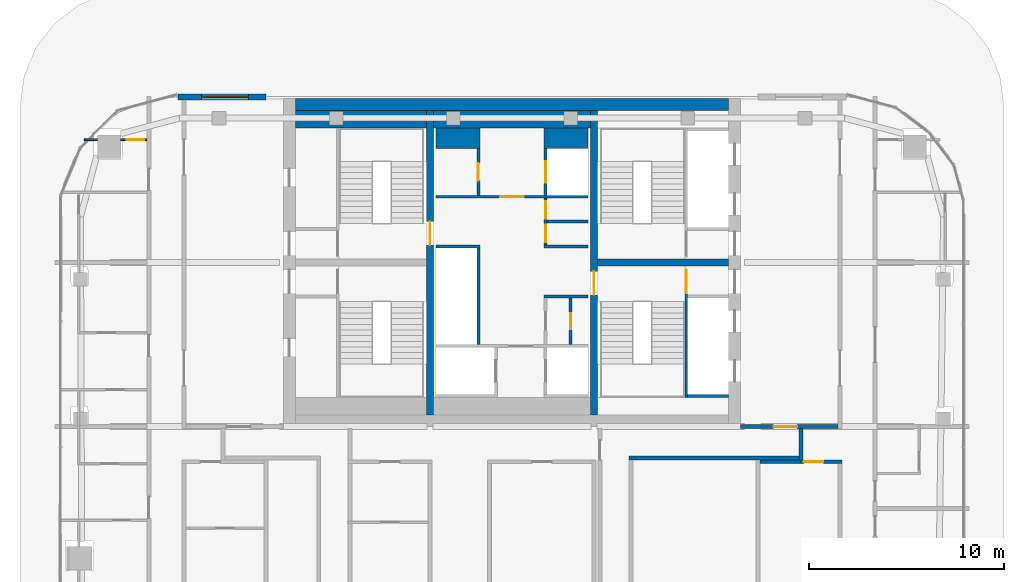
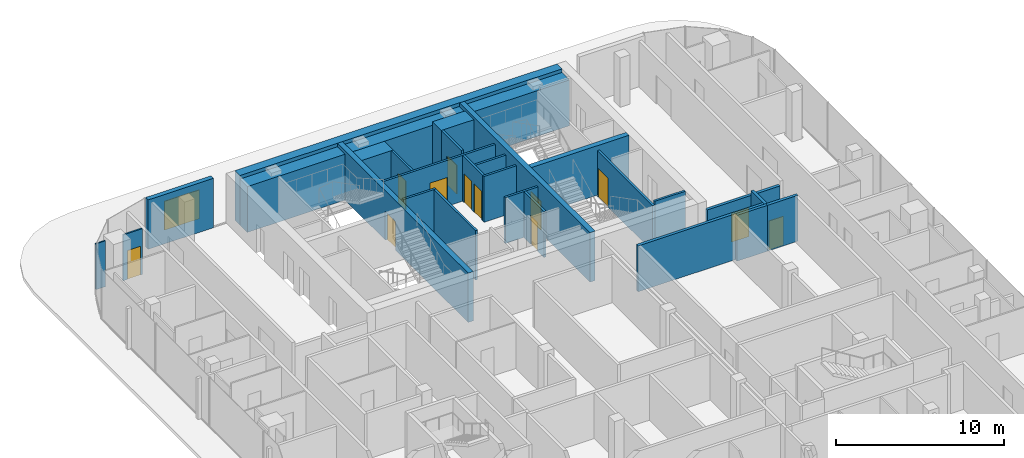
# One storey, part 18 of 21: 27 walls, 12 doors, 1 window, 13 openings.
"""IFC4 building model written with IfcOpenShell, lengths in metres."""

from ifc_helpers import new_model, si_unit, direction, frame, frame_2d, origin, place, context, subcontext, project, spatial, rectangle, extrude, material, layer, layer_set, type_object, element, fill, save


model = new_model("IFC4")

# Units and contexts
model_context = context("Model", 3, precision=1e-05, world=origin(), true_north=direction((0.0, 1.0)))
body_context = subcontext(model_context, "Body", "Model", "MODEL_VIEW")
ifc_project = project(units=[si_unit("LENGTHUNIT", "METRE"), si_unit("AREAUNIT", "SQUARE_METRE"), si_unit("VOLUMEUNIT", "CUBIC_METRE"), si_unit("PLANEANGLEUNIT", "RADIAN"), si_unit("MASSUNIT", "GRAM", prefix="KILO")], contexts=[model_context])

# Site, building, storey
site_placement = place(None, origin())
site = spatial("IfcSite", under=ifc_project, at=site_placement, CompositionType="ELEMENT")
building_placement = place(site_placement, origin())
building = spatial("IfcBuilding", under=site, at=building_placement, Name="Marenta Gate Hotel Tower", CompositionType="ELEMENT")
storey_placement = place(building_placement, frame((0.0, 0.0, 266.89990234375)))
storey = spatial("IfcBuildingStorey", under=building, at=storey_placement, Name="L61", CompositionType="ELEMENT", Elevation=266.89990234375)

# Wall, opening, window
ifc_material_1 = material(Name="Concrete C40 board-marked", Category="concrete")
ifc_layer_1 = layer(ifc_material_1, 0.300048828125)
ifc_layer_set_1 = layer_set([ifc_layer_1], Name="Concrete C40 board-marked")
wall_type_1 = type_object("IfcWallType", Name="Board-marked concrete wall 300 mm", PredefinedType="NOTDEFINED", material=ifc_layer_set_1)
wall_1_placement = place(storey_placement, frame((-12.60009765625, 16.889892578125, 0.0), z_axis=(0.0, 0.0, 1.0), x_axis=(-1.0, 0.0, 0.0)))
wall_1 = element("IfcWall", 1, at=wall_1_placement, inside=storey, type_object=wall_type_1, Name="L61-CLD-N01", PredefinedType="NOTDEFINED", context=body_context, shape_type="SweptSolid", body=[
    extrude(rectangle(XDim=4.505859375, YDim=0.300048828125, at=frame_2d((2.2529296875, 0.0))), origin(), (0.0, 0.0, 1.0), 3.60009765625),
])
opening_1_placement = place(wall_1_placement, frame((0.89990234375, 0.0, 0.89990234375)))
opening_1 = element("IfcOpeningElement", 2, at=opening_1_placement, cuts=wall_1, Name="Opening W1", PredefinedType="OPENING", context=body_context, shape_type="SweptSolid", body=[
    extrude(rectangle(XDim=2.39990234375, YDim=2.10009765625, at=frame_2d((1.199951171875, 1.050048828125))), frame((0.0, 0.14990234375, 0.0), z_axis=(0.0, -1.0, 0.0), x_axis=(1.0, 0.0, 0.0)), (0.0, 0.0, 1.0), 0.300048828125),
])
ifc_material_2 = material(Name="Tinted insulated glass in bronze anodised frame", Category="glass")
window_type = type_object("IfcWindowType", Name="Window W1 2400x2100 bronze frame", PartitioningType="SINGLE_PANEL", PredefinedType="WINDOW", material=ifc_material_2)
window_placement = place(opening_1_placement, origin())
window = element("IfcWindow", 3, at=window_placement, inside=storey, type_object=window_type, Name="Window W1", OverallHeight=2.10009765625, OverallWidth=2.39990234375, PartitioningType="SINGLE_PANEL", PredefinedType="WINDOW", context=body_context, shape_type="SweptSolid", body=[
    extrude(rectangle(XDim=2.39990234375, YDim=2.10009765625, at=frame_2d((1.199951171875, 1.050048828125))), frame((0.0, 0.030029296875, 0.0), z_axis=(0.0, -1.0, 0.0), x_axis=(1.0, 0.0, 0.0)), (0.0, 0.0, 1.0), 0.06005859375),
])
fill(opening_1, window)

# Wall, opening, door
ifc_material_3 = material(Name="Concrete blockwork", Category="masonry")
ifc_layer_2 = layer(ifc_material_3, 0.199951171875)
ifc_layer_set_2 = layer_set([ifc_layer_2], Name="Concrete blockwork")
wall_type_2 = type_object("IfcWallType", Name="Core boundary wall 200 REI 180", PredefinedType="PARTITIONING", material=ifc_layer_set_2)
wall_2_placement = place(storey_placement, frame((11.699951171875, 0.0, 0.0), z_axis=(0.0, 0.0, 1.0), x_axis=(1.0, 0.0, 0.0)))
wall_2 = element("IfcWall", 4, at=wall_2_placement, inside=storey, type_object=wall_type_2, Name="L61-CP-EW-ES", PredefinedType="PARTITIONING", context=body_context, shape_type="SweptSolid", body=[
    extrude(rectangle(XDim=5.0, YDim=0.199951171875, at=frame_2d((2.5, 0.0))), origin(), (0.0, 0.0, 1.0), 3.0),
])
opening_2_placement = place(wall_2_placement, frame((1.699951171875, 0.0, 0.0)))
opening_2 = element("IfcOpeningElement", 5, at=opening_2_placement, cuts=wall_2, Name="Opening RS-Z4-1", PredefinedType="OPENING", context=body_context, shape_type="SweptSolid", body=[
    extrude(rectangle(XDim=1.199951171875, YDim=2.10009765625, at=frame_2d((0.60009765625, 1.050048828125))), frame((0.0, 0.10009765625, 0.0), z_axis=(0.0, -1.0, 0.0), x_axis=(1.0, 0.0, 0.0)), (0.0, 0.0, 1.0), 0.199951171875),
])
ifc_material_4 = material(Name="Steel", Category="steel")
door_type_1 = type_object("IfcDoorType", Name="Core lobby door 1200x2100 EI 60", OperationType="SINGLE_SWING_LEFT", PredefinedType="DOOR", material=ifc_material_4)
door_1_placement = place(opening_2_placement, origin())
door_1 = element("IfcDoor", 6, at=door_1_placement, inside=storey, type_object=door_type_1, Name="RS-Z4-1", OperationType="SINGLE_SWING_LEFT", OverallHeight=2.10009765625, OverallWidth=1.199951171875, PredefinedType="DOOR", context=body_context, shape_type="SweptSolid", body=[
    extrude(rectangle(XDim=1.199951171875, YDim=2.10009765625, at=frame_2d((0.60009765625, 1.050048828125))), frame((0.0, 0.02490234375, 0.0), z_axis=(0.0, -1.0, 0.0), x_axis=(1.0, 0.0, 0.0)), (0.0, 0.0, 1.0), 0.050048828125),
])
fill(opening_2, door_1)

# Wall
ifc_material_5 = material(Name="Concrete C40", Category="concrete")
ifc_layer_3 = layer(ifc_material_5, 0.89990234375)
ifc_layer_set_3 = layer_set([ifc_layer_3], Name="Concrete C40")
wall_type_3 = type_object("IfcWallType", Name="Core lining wall 900 REI 180", PredefinedType="PARTITIONING", material=ifc_layer_set_3)
wall_3_placement = place(storey_placement, frame((-11.10009765625, 15.75, 0.0), z_axis=(0.0, 0.0, 1.0), x_axis=(1.0, 0.0, 0.0)))
element("IfcWall", 7, at=wall_3_placement, inside=storey, type_object=wall_type_3, Name="L61-CP-LN-N", PredefinedType="PARTITIONING", context=body_context, shape_type="SweptSolid", body=[
    extrude(rectangle(XDim=22.2001953125, YDim=0.89990234375, at=frame_2d((11.10009765625, 0.0))), origin(), (0.0, 0.0, 1.0), 3.340087890625),
])

# Wall, opening, door
ifc_material_6 = material(Name="Concrete blockwork", Category="masonry")
ifc_layer_4 = layer(ifc_material_6, 0.14990234375)
ifc_layer_set_4 = layer_set([ifc_layer_4], Name="Concrete blockwork")
wall_type_4 = type_object("IfcWallType", Name="Core lobby partition 150 REI 180", PredefinedType="PARTITIONING", material=ifc_layer_set_4)
wall_4_placement = place(storey_placement, frame((-3.89990234375, 11.77490234375, 0.0), z_axis=(0.0, 0.0, 1.0), x_axis=(1.0, 0.0, 0.0)))
wall_4 = element("IfcWall", 8, at=wall_4_placement, inside=storey, type_object=wall_type_4, Name="L61-CP-CW-N", PredefinedType="PARTITIONING", context=body_context, shape_type="SweptSolid", body=[
    extrude(rectangle(XDim=7.7998046875, YDim=0.14990234375, at=frame_2d((3.89990234375, 0.0))), origin(), (0.0, 0.0, 1.0), 3.340087890625),
])
opening_3_placement = place(wall_4_placement, frame((3.300048828125, 0.0, 0.0)))
opening_3 = element("IfcOpeningElement", 9, at=opening_3_placement, cuts=wall_4, Name="Opening FD-FFN", PredefinedType="OPENING", context=body_context, shape_type="SweptSolid", body=[
    extrude(rectangle(XDim=1.199951171875, YDim=2.10009765625, at=frame_2d((0.60009765625, 1.050048828125))), frame((0.0, 0.074951171875, 0.0), z_axis=(0.0, -1.0, 0.0), x_axis=(1.0, 0.0, 0.0)), (0.0, 0.0, 1.0), 0.14990234375),
])
ifc_material_7 = material(Name="Steel", Category="steel")
door_type_2 = type_object("IfcDoorType", Name="Core lobby door 1200x2100 FD60", OperationType="SINGLE_SWING_LEFT", PredefinedType="DOOR", material=ifc_material_7)
door_2_placement = place(opening_3_placement, origin())
door_2 = element("IfcDoor", 10, at=door_2_placement, inside=storey, type_object=door_type_2, Name="FD-FFN", OperationType="SINGLE_SWING_LEFT", OverallHeight=2.10009765625, OverallWidth=1.199951171875, PredefinedType="DOOR", context=body_context, shape_type="SweptSolid", body=[
    extrude(rectangle(XDim=1.199951171875, YDim=2.10009765625, at=frame_2d((0.60009765625, 1.050048828125))), frame((0.0, 0.02490234375, 0.0), z_axis=(0.0, -1.0, 0.0), x_axis=(1.0, 0.0, 0.0)), (0.0, 0.0, 1.0), 0.050048828125),
])
fill(opening_3, door_2)

# Wall
ifc_material_8 = material(Name="Concrete blockwork", Category="masonry")
ifc_layer_5 = layer(ifc_material_8, 1.050048828125)
ifc_layer_set_5 = layer_set([ifc_layer_5], Name="Concrete blockwork")
wall_type_5 = type_object("IfcWallType", Name="Core room partition 1050 REI 180", PredefinedType="PARTITIONING", material=ifc_layer_set_5)
wall_5_placement = place(storey_placement, frame((-3.89990234375, 14.77490234375, 0.0), z_axis=(0.0, 0.0, 1.0), x_axis=(1.0, 0.0, 0.0)))
element("IfcWall", 11, at=wall_5_placement, inside=storey, type_object=wall_type_5, Name="L61-CP-CW-W-riser-N", PredefinedType="PARTITIONING", context=body_context, shape_type="SweptSolid", body=[
    extrude(rectangle(XDim=2.25, YDim=1.050048828125, at=frame_2d((1.125, 0.0))), origin(), (0.0, 0.0, 1.0), 3.340087890625),
])

# Wall, opening, door
ifc_material_9 = material(Name="Concrete blockwork", Category="masonry")
ifc_layer_6 = layer(ifc_material_9, 0.14990234375)
ifc_layer_set_6 = layer_set([ifc_layer_6], Name="Concrete blockwork")
wall_type_6 = type_object("IfcWallType", Name="Core room partition 150 REI 180", PredefinedType="PARTITIONING", material=ifc_layer_set_6)
wall_6_placement = place(storey_placement, frame((-1.72509765625, 11.85009765625, 0.0), z_axis=(0.0, 0.0, 1.0), x_axis=(0.0, 1.0, 0.0)))
wall_6 = element("IfcWall", 12, at=wall_6_placement, inside=storey, type_object=wall_type_6, Name="L61-CP-CW-W-riser-front", PredefinedType="PARTITIONING", context=body_context, shape_type="SweptSolid", body=[
    extrude(rectangle(XDim=2.39990234375, YDim=0.14990234375, at=frame_2d((1.199951171875, 0.0))), origin(), (0.0, 0.0, 1.0), 3.340087890625),
])
opening_4_placement = place(wall_6_placement, frame((0.75, 0.0, 0.0)))
opening_4 = element("IfcOpeningElement", 13, at=opening_4_placement, cuts=wall_6, Name="Opening RD-CRISER", PredefinedType="OPENING", context=body_context, shape_type="SweptSolid", body=[
    extrude(rectangle(XDim=0.89990234375, YDim=2.10009765625, at=frame_2d((0.449951171875, 1.050048828125))), frame((0.0, 0.074951171875, 0.0), z_axis=(0.0, -1.0, 0.0), x_axis=(1.0, 0.0, 0.0)), (0.0, 0.0, 1.0), 0.14990234375),
])
ifc_material_10 = material(Name="Steel", Category="steel")
door_type_3 = type_object("IfcDoorType", Name="Core riser door 900x2100 FD60", OperationType="SINGLE_SWING_LEFT", PredefinedType="DOOR", material=ifc_material_10)
door_3_placement = place(opening_4_placement, origin())
door_3 = element("IfcDoor", 14, at=door_3_placement, inside=storey, type_object=door_type_3, Name="RD-CRISER", OperationType="SINGLE_SWING_LEFT", OverallHeight=2.10009765625, OverallWidth=0.89990234375, PredefinedType="DOOR", context=body_context, shape_type="SweptSolid", body=[
    extrude(rectangle(XDim=0.89990234375, YDim=2.10009765625, at=frame_2d((0.449951171875, 1.050048828125))), frame((0.0, 0.02490234375, 0.0), z_axis=(0.0, -1.0, 0.0), x_axis=(1.0, 0.0, 0.0)), (0.0, 0.0, 1.0), 0.050048828125),
])
fill(opening_4, door_3)

# Walls
for number, where, z_axis, x_axis, name in (
    (15, (1.64990234375, 6.675048828125, 0.0), (0.0, 0.0, 1.0), (1.0, 0.0, 0.0), "L61-CP-CE-sep1"),
    (16, (1.64990234375, 9.22509765625, 0.0), (0.0, 0.0, 1.0), (1.0, 0.0, 0.0), "L61-CP-CE-sep2"),
):
    element("IfcWall", number, at=place(storey_placement, frame(where, z_axis=z_axis, x_axis=x_axis)), inside=storey, type_object=wall_type_6, Name=name, PredefinedType="PARTITIONING", context=body_context, shape_type="SweptSolid", body=[
        extrude(rectangle(XDim=2.25, YDim=0.14990234375, at=frame_2d((1.125, 0.0))), origin(), (0.0, 0.0, 1.0), 3.340087890625),
    ])

# Wall, openings, doors
wall_7_placement = place(storey_placement, frame((1.72509765625, 9.300048828125, 0.0), z_axis=(0.0, 0.0, 1.0), x_axis=(0.0, 1.0, 0.0)))
wall_7 = element("IfcWall", 17, at=wall_7_placement, inside=storey, type_object=wall_type_6, Name="L61-CP-CE-front-2", PredefinedType="PARTITIONING", context=body_context, shape_type="SweptSolid", body=[
    extrude(rectangle(XDim=2.39990234375, YDim=0.14990234375, at=frame_2d((1.199951171875, 0.0))), origin(), (0.0, 0.0, 1.0), 3.340087890625),
])
opening_5_placement = place(wall_7_placement, frame((0.14990234375, 0.0, 0.0)))
opening_5 = element("IfcOpeningElement", 18, at=opening_5_placement, cuts=wall_7, Name="Opening RD-CE-2a", PredefinedType="OPENING", context=body_context, shape_type="SweptSolid", body=[
    extrude(rectangle(XDim=0.89990234375, YDim=2.10009765625, at=frame_2d((0.449951171875, 1.050048828125))), frame((0.0, 0.074951171875, 0.0), z_axis=(0.0, -1.0, 0.0), x_axis=(1.0, 0.0, 0.0)), (0.0, 0.0, 1.0), 0.14990234375),
])
opening_6_placement = place(wall_7_placement, frame((1.35009765625, 0.0, 0.0)))
opening_6 = element("IfcOpeningElement", 19, at=opening_6_placement, cuts=wall_7, Name="Opening RD-CE-2b-B", PredefinedType="OPENING", context=body_context, shape_type="SweptSolid", body=[
    extrude(rectangle(XDim=0.89990234375, YDim=2.10009765625, at=frame_2d((0.449951171875, 1.050048828125))), frame((0.0, 0.074951171875, 0.0), z_axis=(0.0, -1.0, 0.0), x_axis=(1.0, 0.0, 0.0)), (0.0, 0.0, 1.0), 0.14990234375),
])
ifc_material_11 = material(Name="Steel", Category="steel")
door_type_4 = type_object("IfcDoorType", Name="Core service room door 900x2100 FD30S", OperationType="SINGLE_SWING_LEFT", PredefinedType="DOOR", material=ifc_material_11)
door_4_placement = place(opening_5_placement, origin())
door_4 = element("IfcDoor", 20, at=door_4_placement, inside=storey, type_object=door_type_4, Name="RD-CE-2a", OperationType="SINGLE_SWING_LEFT", OverallHeight=2.10009765625, OverallWidth=0.89990234375, PredefinedType="DOOR", context=body_context, shape_type="SweptSolid", body=[
    extrude(rectangle(XDim=0.89990234375, YDim=2.10009765625, at=frame_2d((0.449951171875, 1.050048828125))), frame((0.0, 0.02490234375, 0.0), z_axis=(0.0, -1.0, 0.0), x_axis=(1.0, 0.0, 0.0)), (0.0, 0.0, 1.0), 0.050048828125),
])
fill(opening_5, door_4)
door_5_placement = place(opening_6_placement, origin())
door_5 = element("IfcDoor", 21, at=door_5_placement, inside=storey, type_object=door_type_4, Name="RD-CE-2b-B", OperationType="SINGLE_SWING_LEFT", OverallHeight=2.10009765625, OverallWidth=0.89990234375, PredefinedType="DOOR", context=body_context, shape_type="SweptSolid", body=[
    extrude(rectangle(XDim=0.89990234375, YDim=2.10009765625, at=frame_2d((0.449951171875, 1.050048828125))), frame((0.0, 0.02490234375, 0.0), z_axis=(0.0, -1.0, 0.0), x_axis=(1.0, 0.0, 0.0)), (0.0, 0.0, 1.0), 0.050048828125),
])
fill(opening_6, door_5)

# Wall, opening, door
wall_8_placement = place(storey_placement, frame((3.0, 4.199951171875, 0.0), z_axis=(0.0, 0.0, 1.0), x_axis=(0.0, 1.0, 0.0)))
wall_8 = element("IfcWall", 22, at=wall_8_placement, inside=storey, type_object=wall_type_6, Name="L61-CP-CE-RW-1", PredefinedType="PARTITIONING", context=body_context, shape_type="SweptSolid", body=[
    extrude(rectangle(XDim=2.400146484375, YDim=0.14990234375, at=frame_2d((1.2001953125, 0.0))), origin(), (0.0, 0.0, 1.0), 3.340087890625),
])
opening_7_placement = place(wall_8_placement, frame((0.800048828125, 0.0, 0.0)))
opening_7 = element("IfcOpeningElement", 23, at=opening_7_placement, cuts=wall_8, Name="Opening RD-CE-1b-A", PredefinedType="OPENING", context=body_context, shape_type="SweptSolid", body=[
    extrude(rectangle(XDim=0.800048828125, YDim=2.10009765625, at=frame_2d((0.39990234375, 1.050048828125))), frame((0.0, 0.074951171875, 0.0), z_axis=(0.0, -1.0, 0.0), x_axis=(1.0, 0.0, 0.0)), (0.0, 0.0, 1.0), 0.14990234375),
])
ifc_material_12 = material(Name="Steel", Category="steel")
door_type_5 = type_object("IfcDoorType", Name="Core riser door 800x2100 FD60", OperationType="SINGLE_SWING_LEFT", PredefinedType="DOOR", material=ifc_material_12)
door_6_placement = place(opening_7_placement, origin())
door_6 = element("IfcDoor", 24, at=door_6_placement, inside=storey, type_object=door_type_5, Name="RD-CE-1b-A", OperationType="SINGLE_SWING_LEFT", OverallHeight=2.10009765625, OverallWidth=0.800048828125, PredefinedType="DOOR", context=body_context, shape_type="SweptSolid", body=[
    extrude(rectangle(XDim=0.800048828125, YDim=2.10009765625, at=frame_2d((0.39990234375, 1.050048828125))), frame((0.0, 0.02490234375, 0.0), z_axis=(0.0, -1.0, 0.0), x_axis=(1.0, 0.0, 0.0)), (0.0, 0.0, 1.0), 0.050048828125),
])
fill(opening_7, door_6)

# Walls
wall_9_placement = place(storey_placement, frame((1.800048828125, 10.5, 0.0), z_axis=(0.0, 0.0, 1.0), x_axis=(1.0, 0.0, 0.0)))
element("IfcWall", 25, at=wall_9_placement, inside=storey, type_object=wall_type_6, Name="L61-CP-CE-RW-2", PredefinedType="PARTITIONING", context=body_context, shape_type="SweptSolid", body=[
    extrude(rectangle(XDim=2.099853515625, YDim=0.14990234375, at=frame_2d((1.0498046875, 0.0))), origin(), (0.0, 0.0, 1.0), 3.340087890625),
])
ifc_material_13 = material(Name="Concrete C40", Category="concrete")
ifc_layer_7 = layer(ifc_material_13, 1.050048828125)
ifc_layer_set_7 = layer_set([ifc_layer_7], Name="Concrete C40")
wall_type_7 = type_object("IfcWallType", Name="Core shaft wall 1050 REI 180", PredefinedType="SHEAR", material=ifc_layer_set_7)
wall_10_placement = place(storey_placement, frame((1.64990234375, 14.77490234375, 0.0), z_axis=(0.0, 0.0, 1.0), x_axis=(1.0, 0.0, 0.0)))
element("IfcWall", 26, at=wall_10_placement, inside=storey, type_object=wall_type_7, Name="L61-SHF-CE-N-top", PredefinedType="SHEAR", context=body_context, shape_type="SweptSolid", body=[
    extrude(rectangle(XDim=2.25, YDim=1.050048828125, at=frame_2d((1.125, 0.0))), origin(), (0.0, 0.0, 1.0), 3.60009765625),
])
ifc_material_14 = material(Name="Concrete C40", Category="concrete")
ifc_layer_8 = layer(ifc_material_14, 0.14990234375)
ifc_layer_set_8 = layer_set([ifc_layer_8], Name="Concrete C40")
wall_type_8 = type_object("IfcWallType", Name="Core shaft wall 150 REI 180", PredefinedType="SHEAR", material=ifc_layer_set_8)
wall_11_placement = place(storey_placement, frame((9.0, 1.574951171875, 0.0), z_axis=(0.0, 0.0, 1.0), x_axis=(1.0, 0.0, 0.0)))
element("IfcWall", 27, at=wall_11_placement, inside=storey, type_object=wall_type_8, Name="L61-SHF-SW-ES-5", PredefinedType="SHEAR", context=body_context, shape_type="SweptSolid", body=[
    extrude(rectangle(XDim=2.10009765625, YDim=0.14990234375, at=frame_2d((1.050048828125, 0.0))), origin(), (0.0, 0.0, 1.0), 3.60009765625),
])
wall_12_placement = place(storey_placement, frame((-1.72509765625, 4.199951171875, 0.0), z_axis=(0.0, 0.0, 1.0), x_axis=(0.0, 1.0, 0.0)))
element("IfcWall", 28, at=wall_12_placement, inside=storey, type_object=wall_type_8, Name="L61-SHF-CW-W-front", PredefinedType="SHEAR", context=body_context, shape_type="SweptSolid", body=[
    extrude(rectangle(XDim=4.949951171875, YDim=0.14990234375, at=frame_2d((2.47509765625, 0.0))), origin(), (0.0, 0.0, 1.0), 3.60009765625),
])
wall_13_placement = place(storey_placement, frame((-3.89990234375, 9.22509765625, 0.0), z_axis=(0.0, 0.0, 1.0), x_axis=(1.0, 0.0, 0.0)))
element("IfcWall", 29, at=wall_13_placement, inside=storey, type_object=wall_type_8, Name="L61-SHF-CW-W-sep", PredefinedType="SHEAR", context=body_context, shape_type="SweptSolid", body=[
    extrude(rectangle(XDim=2.25, YDim=0.14990234375, at=frame_2d((1.125, 0.0))), origin(), (0.0, 0.0, 1.0), 3.60009765625),
])

# Wall, opening, door
wall_14_placement = place(storey_placement, frame((1.72509765625, 11.85009765625, 0.0), z_axis=(0.0, 0.0, 1.0), x_axis=(0.0, 1.0, 0.0)))
wall_14 = element("IfcWall", 30, at=wall_14_placement, inside=storey, type_object=wall_type_8, Name="L61-SHF-CE-N-front2", PredefinedType="SHEAR", context=body_context, shape_type="SweptSolid", body=[
    extrude(rectangle(XDim=2.39990234375, YDim=0.14990234375, at=frame_2d((1.199951171875, 0.0))), origin(), (0.0, 0.0, 1.0), 3.60009765625),
])
opening_8_placement = place(wall_14_placement, frame((0.64990234375, 0.0, 0.0)))
opening_8 = element("IfcOpeningElement", 31, at=opening_8_placement, cuts=wall_14, Name="Opening LD-FF2", PredefinedType="OPENING", context=body_context, shape_type="SweptSolid", body=[
    extrude(rectangle(XDim=1.10009765625, YDim=2.10009765625, at=frame_2d((0.550048828125, 1.050048828125))), frame((0.0, 0.074951171875, 0.0), z_axis=(0.0, -1.0, 0.0), x_axis=(1.0, 0.0, 0.0)), (0.0, 0.0, 1.0), 0.14990234375),
])
ifc_material_15 = material(Name="Steel", Category="steel")
door_type_6 = type_object("IfcDoorType", Name="Core lift landing door 1100x2100 E 60", OperationType="SLIDING_TO_LEFT", PredefinedType="DOOR", material=ifc_material_15)
door_7_placement = place(opening_8_placement, origin())
door_7 = element("IfcDoor", 32, at=door_7_placement, inside=storey, type_object=door_type_6, Name="LD-FF2", OperationType="SLIDING_TO_LEFT", OverallHeight=2.10009765625, OverallWidth=1.10009765625, PredefinedType="DOOR", context=body_context, shape_type="SweptSolid", body=[
    extrude(rectangle(XDim=1.10009765625, YDim=2.10009765625, at=frame_2d((0.550048828125, 1.050048828125))), frame((0.0, 0.02490234375, 0.0), z_axis=(0.0, -1.0, 0.0), x_axis=(1.0, 0.0, 0.0)), (0.0, 0.0, 1.0), 0.050048828125),
])
fill(opening_8, door_7)

ifc_material_16 = material(Name="Concrete C40", Category="concrete")
ifc_layer_9 = layer(ifc_material_16, 0.14990234375)
ifc_layer_set_9 = layer_set([ifc_layer_9], Name="Concrete C40")
wall_type_9 = type_object("IfcWallType", Name="Core stair enclosure wall 150 REI 180", PredefinedType="SHEAR", material=ifc_layer_set_9)
wall_15_placement = place(storey_placement, frame((8.925048828125, 1.5, 0.0), z_axis=(0.0, 0.0, 1.0), x_axis=(0.0, 1.0, 0.0)))
wall_15 = element("IfcWall", 33, at=wall_15_placement, inside=storey, type_object=wall_type_9, Name="L61-SHF-SW-ES-3", PredefinedType="SHEAR", context=body_context, shape_type="SweptSolid", body=[
    extrude(rectangle(XDim=6.60009765625, YDim=0.14990234375, at=frame_2d((3.300048828125, 0.0))), origin(), (0.0, 0.0, 1.0), 3.340087890625),
])
opening_9_placement = place(wall_15_placement, frame((5.324951171875, 0.0, 0.0)))
opening_9 = element("IfcOpeningElement", 34, at=opening_9_placement, cuts=wall_15, Name="Opening SD-ES", PredefinedType="OPENING", context=body_context, shape_type="SweptSolid", body=[
    extrude(rectangle(XDim=1.199951171875, YDim=2.10009765625, at=frame_2d((0.60009765625, 1.050048828125))), frame((0.0, 0.074951171875, 0.0), z_axis=(0.0, -1.0, 0.0), x_axis=(1.0, 0.0, 0.0)), (0.0, 0.0, 1.0), 0.14990234375),
])
ifc_material_17 = material(Name="Steel", Category="steel")
door_type_7 = type_object("IfcDoorType", Name="Core stair door 1200x2100 FD60", OperationType="SINGLE_SWING_LEFT", PredefinedType="DOOR", material=ifc_material_17)
door_8_placement = place(opening_9_placement, origin())
door_8 = element("IfcDoor", 35, at=door_8_placement, inside=storey, type_object=door_type_7, Name="SD-ES", OperationType="SINGLE_SWING_LEFT", OverallHeight=2.10009765625, OverallWidth=1.199951171875, PredefinedType="DOOR", context=body_context, shape_type="SweptSolid", body=[
    extrude(rectangle(XDim=1.199951171875, YDim=2.10009765625, at=frame_2d((0.60009765625, 1.050048828125))), frame((0.0, 0.02490234375, 0.0), z_axis=(0.0, -1.0, 0.0), x_axis=(1.0, 0.0, 0.0)), (0.0, 0.0, 1.0), 0.050048828125),
])
fill(opening_9, door_8)

# Wall
ifc_material_18 = material(Name="Concrete C50", Category="concrete")
ifc_layer_10 = layer(ifc_material_18, 0.60009765625)
ifc_layer_set_10 = layer_set([ifc_layer_10], Name="Concrete C50")
wall_type_10 = type_object("IfcWallType", Name="Core wall 600 C50", PredefinedType="SHEAR", material=ifc_layer_set_10)
wall_16_placement = place(storey_placement, frame((-11.10009765625, 16.5, 0.0), z_axis=(0.0, 0.0, 1.0), x_axis=(1.0, 0.0, 0.0)))
element("IfcWall", 36, at=wall_16_placement, inside=storey, type_object=wall_type_10, Name="L61-CORE-N", PredefinedType="SHEAR", context=body_context, shape_type="SweptSolid", body=[
    extrude(rectangle(XDim=22.2001953125, YDim=0.60009765625, at=frame_2d((11.10009765625, 0.0))), origin(), (0.0, 0.0, 1.0), 3.60009765625),
])

# Wall, opening, door
ifc_material_19 = material(Name="Concrete C50", Category="concrete")
ifc_layer_11 = layer(ifc_material_19, 0.35009765625)
ifc_layer_set_11 = layer_set([ifc_layer_11], Name="Concrete C50")
wall_type_11 = type_object("IfcWallType", Name="Core web 350 C50", PredefinedType="SHEAR", material=ifc_layer_set_11)
wall_17_placement = place(storey_placement, frame((-4.199951171875, 0.60009765625, 0.0), z_axis=(0.0, 0.0, 1.0), x_axis=(0.0, 1.0, 0.0)))
wall_17 = element("IfcWall", 37, at=wall_17_placement, inside=storey, type_object=wall_type_11, Name="L61-CORE-W1", PredefinedType="SHEAR", context=body_context, shape_type="SweptSolid", body=[
    extrude(rectangle(XDim=15.599853515625, YDim=0.35009765625, at=frame_2d((7.7998046875, 0.0))), origin(), (0.0, 0.0, 1.0), 3.60009765625),
])
opening_10_placement = place(wall_17_placement, frame((8.699951171875, 0.0, 0.0)))
opening_10 = element("IfcOpeningElement", 38, at=opening_10_placement, cuts=wall_17, Name="Opening WD-W", PredefinedType="OPENING", context=body_context, shape_type="SweptSolid", body=[
    extrude(rectangle(XDim=1.199951171875, YDim=2.10009765625, at=frame_2d((0.60009765625, 1.050048828125))), frame((0.0, 0.175048828125, 0.0), z_axis=(0.0, -1.0, 0.0), x_axis=(1.0, 0.0, 0.0)), (0.0, 0.0, 1.0), 0.35009765625),
])
door_9_placement = place(opening_10_placement, origin())
door_9 = element("IfcDoor", 39, at=door_9_placement, inside=storey, type_object=door_type_7, Name="WD-W", OperationType="SINGLE_SWING_LEFT", OverallHeight=2.10009765625, OverallWidth=1.199951171875, PredefinedType="DOOR", context=body_context, shape_type="SweptSolid", body=[
    extrude(rectangle(XDim=1.199951171875, YDim=2.10009765625, at=frame_2d((0.60009765625, 1.050048828125))), frame((0.0, 0.02490234375, 0.0), z_axis=(0.0, -1.0, 0.0), x_axis=(1.0, 0.0, 0.0)), (0.0, 0.0, 1.0), 0.050048828125),
])
fill(opening_10, door_9)

wall_18_placement = place(storey_placement, frame((4.199951171875, 0.60009765625, 0.0), z_axis=(0.0, 0.0, 1.0), x_axis=(0.0, 1.0, 0.0)))
wall_18 = element("IfcWall", 40, at=wall_18_placement, inside=storey, type_object=wall_type_11, Name="L61-CORE-W2", PredefinedType="SHEAR", context=body_context, shape_type="SweptSolid", body=[
    extrude(rectangle(XDim=15.599853515625, YDim=0.35009765625, at=frame_2d((7.7998046875, 0.0))), origin(), (0.0, 0.0, 1.0), 3.60009765625),
])
opening_11_placement = place(wall_18_placement, frame((6.14990234375, 0.0, 0.0)))
opening_11 = element("IfcOpeningElement", 41, at=opening_11_placement, cuts=wall_18, Name="Opening WD-E", PredefinedType="OPENING", context=body_context, shape_type="SweptSolid", body=[
    extrude(rectangle(XDim=1.199951171875, YDim=2.10009765625, at=frame_2d((0.60009765625, 1.050048828125))), frame((0.0, 0.175048828125, 0.0), z_axis=(0.0, -1.0, 0.0), x_axis=(1.0, 0.0, 0.0)), (0.0, 0.0, 1.0), 0.35009765625),
])
door_10_placement = place(opening_11_placement, origin())
door_10 = element("IfcDoor", 42, at=door_10_placement, inside=storey, type_object=door_type_7, Name="WD-E", OperationType="SINGLE_SWING_LEFT", OverallHeight=2.10009765625, OverallWidth=1.199951171875, PredefinedType="DOOR", context=body_context, shape_type="SweptSolid", body=[
    extrude(rectangle(XDim=1.199951171875, YDim=2.10009765625, at=frame_2d((0.60009765625, 1.050048828125))), frame((0.0, 0.02490234375, 0.0), z_axis=(0.0, -1.0, 0.0), x_axis=(1.0, 0.0, 0.0)), (0.0, 0.0, 1.0), 0.050048828125),
])
fill(opening_11, door_10)

# Wall
wall_19_placement = place(storey_placement, frame((4.375, 8.39990234375, 0.0), z_axis=(0.0, 0.0, 1.0), x_axis=(1.0, 0.0, 0.0)))
element("IfcWall", 43, at=wall_19_placement, inside=storey, type_object=wall_type_11, Name="L61-CORE-W4", PredefinedType="SHEAR", context=body_context, shape_type="SweptSolid", body=[
    extrude(rectangle(XDim=6.72509765625, YDim=0.35009765625, at=frame_2d((3.362548828125, 0.0))), origin(), (0.0, 0.0, 1.0), 3.60009765625),
])

# Wall, opening, door
ifc_material_20 = material(Name="Gypsum board on steel stud", Category="steel")
ifc_layer_12 = layer(ifc_material_20, 0.199951171875)
ifc_layer_set_12 = layer_set([ifc_layer_12], Name="Gypsum board on steel stud")
wall_type_12 = type_object("IfcWallType", Name="Room corridor wall 200 EI 60", PredefinedType="PARTITIONING", material=ifc_layer_set_12)
wall_20_placement = place(storey_placement, frame((14.800048828125, -1.800048828125, 0.0), z_axis=(0.0, 0.0, 1.0), x_axis=(1.0, 0.0, 0.0)))
wall_20 = element("IfcWall", 44, at=wall_20_placement, inside=storey, type_object=wall_type_12, Name="L61-PTN-W074", PredefinedType="PARTITIONING", context=body_context, shape_type="SweptSolid", body=[
    extrude(rectangle(XDim=2.099853515625, YDim=0.199951171875, at=frame_2d((1.0498046875, 0.0))), origin(), (0.0, 0.0, 1.0), 3.340087890625),
])
opening_12_placement = place(wall_20_placement, frame((0.14990234375, 0.0, 0.0)))
opening_12 = element("IfcOpeningElement", 45, at=opening_12_placement, cuts=wall_20, Name="Opening G22-06", PredefinedType="OPENING", context=body_context, shape_type="SweptSolid", body=[
    extrude(rectangle(XDim=1.0, YDim=2.10009765625, at=frame_2d((0.5, 1.050048828125))), frame((0.0, 0.10009765625, 0.0), z_axis=(0.0, -1.0, 0.0), x_axis=(1.0, 0.0, 0.0)), (0.0, 0.0, 1.0), 0.199951171875),
])
ifc_material_21 = material(Name="Timber door leaf", Category="wood")
door_type_8 = type_object("IfcDoorType", Name="Room amenity door 1000x2100 EI 30", OperationType="NOTDEFINED", PredefinedType="DOOR", material=ifc_material_21)
door_11_placement = place(opening_12_placement, origin())
door_11 = element("IfcDoor", 46, at=door_11_placement, inside=storey, type_object=door_type_8, Name="L61-PD-D006", OperationType="SINGLE_SWING_LEFT", OverallHeight=2.10009765625, OverallWidth=1.0, PredefinedType="DOOR", context=body_context, shape_type="SweptSolid", body=[
    extrude(rectangle(XDim=1.0, YDim=2.10009765625, at=frame_2d((0.5, 1.050048828125))), frame((0.0, 0.02490234375, 0.0), z_axis=(0.0, -1.0, 0.0), x_axis=(1.0, 0.0, 0.0)), (0.0, 0.0, 1.0), 0.050048828125),
])
fill(opening_12, door_11)

# Walls
ifc_material_22 = material(Name="Concrete blockwork", Category="masonry")
ifc_layer_13 = layer(ifc_material_22, 0.199951171875)
ifc_layer_set_13 = layer_set([ifc_layer_13], Name="Concrete blockwork")
wall_type_13 = type_object("IfcWallType", Name="Room corridor wall 200 REI 180", PredefinedType="PARTITIONING", material=ifc_layer_set_13)
wall_21_placement = place(storey_placement, frame((14.800048828125, -1.699951171875, 0.0), z_axis=(0.0, 0.0, 1.0), x_axis=(0.0, 1.0, 0.0)))
element("IfcWall", 47, at=wall_21_placement, inside=storey, type_object=wall_type_13, Name="L61-PTN-W037", PredefinedType="PARTITIONING", context=body_context, shape_type="SweptSolid", body=[
    extrude(rectangle(XDim=1.599853515625, YDim=0.199951171875, at=frame_2d((0.7998046875, 0.0))), origin(), (0.0, 0.0, 1.0), 3.340087890625),
])
ifc_material_23 = material(Name="Gypsum board on steel stud", Category="steel")
ifc_layer_14 = layer(ifc_material_23, 0.10009765625)
ifc_layer_set_14 = layer_set([ifc_layer_14], Name="Gypsum board on steel stud")
wall_type_14 = type_object("IfcWallType", Name="Room partition 100", PredefinedType="PARTITIONING", material=ifc_layer_set_14)
wall_22_placement = place(storey_placement, frame((-21.904052734375, 14.702880859375, 0.0), z_axis=(0.0, 0.0, 1.0), x_axis=(1.0, 0.0, 0.0)))
element("IfcWall", 48, at=wall_22_placement, inside=storey, type_object=wall_type_14, Name="L61-PTN-W105", PredefinedType="PARTITIONING", context=body_context, shape_type="SweptSolid", body=[
    extrude(rectangle(XDim=0.66796875, YDim=0.10009765625, at=frame_2d((0.333984375, 0.0))), origin(), (0.0, 0.0, 1.0), 3.340087890625),
])

# Wall, opening, door
wall_23_placement = place(storey_placement, frame((-20.034912109375, 14.702880859375, 0.0), z_axis=(0.0, 0.0, 1.0), x_axis=(1.0, 0.0, 0.0)))
wall_23 = element("IfcWall", 49, at=wall_23_placement, inside=storey, type_object=wall_type_14, Name="L61-PTN-W118", PredefinedType="PARTITIONING", context=body_context, shape_type="SweptSolid", body=[
    extrude(rectangle(XDim=1.3349609375, YDim=0.10009765625, at=frame_2d((0.66748046875, 0.0))), origin(), (0.0, 0.0, 1.0), 3.340087890625),
])
opening_13_placement = place(wall_23_placement, frame((0.304931640625, 0.0, 0.0)))
opening_13 = element("IfcOpeningElement", 50, at=opening_13_placement, cuts=wall_23, Name="Opening G22-52", PredefinedType="OPENING", context=body_context, shape_type="SweptSolid", body=[
    extrude(rectangle(XDim=0.89990234375, YDim=2.10009765625, at=frame_2d((0.449951171875, 1.050048828125))), frame((0.0, 0.050048828125, 0.0), z_axis=(0.0, -1.0, 0.0), x_axis=(1.0, 0.0, 0.0)), (0.0, 0.0, 1.0), 0.10009765625),
])
ifc_material_24 = material(Name="Timber door leaf", Category="wood")
door_type_9 = type_object("IfcDoorType", Name="Room inner door 900x2100", OperationType="NOTDEFINED", PredefinedType="DOOR", material=ifc_material_24)
door_12_placement = place(opening_13_placement, origin())
door_12 = element("IfcDoor", 51, at=door_12_placement, inside=storey, type_object=door_type_9, Name="L61-PD-D052", OperationType="SINGLE_SWING_LEFT", OverallHeight=2.10009765625, OverallWidth=0.89990234375, PredefinedType="DOOR", context=body_context, shape_type="SweptSolid", body=[
    extrude(rectangle(XDim=0.89990234375, YDim=2.10009765625, at=frame_2d((0.449951171875, 1.050048828125))), frame((0.0, 0.02490234375, 0.0), z_axis=(0.0, -1.0, 0.0), x_axis=(1.0, 0.0, 0.0)), (0.0, 0.0, 1.0), 0.050048828125),
])
fill(opening_13, door_12)

# Walls
ifc_material_25 = material(Name="Gypsum board on steel stud", Category="steel")
ifc_layer_15 = layer(ifc_material_25, 0.199951171875)
ifc_layer_set_15 = layer_set([ifc_layer_15], Name="Gypsum board on steel stud")
wall_type_15 = type_object("IfcWallType", Name="Room party wall 200 EI 60", PredefinedType="PARTITIONING", material=ifc_layer_set_15)
wall_24_placement = place(storey_placement, frame((12.699951171875, -1.800048828125, 0.0), z_axis=(0.0, 0.0, 1.0), x_axis=(1.0, 0.0, 0.0)))
element("IfcWall", 52, at=wall_24_placement, inside=storey, type_object=wall_type_15, Name="L61-PTN-W075", PredefinedType="PARTITIONING", context=body_context, shape_type="SweptSolid", body=[
    extrude(rectangle(XDim=2.10009765625, YDim=0.199951171875, at=frame_2d((1.050048828125, 0.0))), origin(), (0.0, 0.0, 1.0), 3.340087890625),
])
ifc_material_26 = material(Name="Concrete blockwork", Category="masonry")
ifc_layer_16 = layer(ifc_material_26, 0.199951171875)
ifc_layer_set_16 = layer_set([ifc_layer_16], Name="Concrete blockwork")
wall_type_16 = type_object("IfcWallType", Name="Room party wall 200 REI 180", PredefinedType="PARTITIONING", material=ifc_layer_set_16)
wall_25_placement = place(storey_placement, frame((6.0, -1.60009765625, 0.0), z_axis=(0.0, 0.0, 1.0), x_axis=(1.0, 0.0, 0.0)))
element("IfcWall", 53, at=wall_25_placement, inside=storey, type_object=wall_type_16, Name="L61-PTN-W077", PredefinedType="PARTITIONING", context=body_context, shape_type="SweptSolid", body=[
    extrude(rectangle(XDim=8.699951171875, YDim=0.199951171875, at=frame_2d((4.35009765625, 0.0))), origin(), (0.0, 0.0, 1.0), 3.340087890625),
])

save(model, "model.ifc")
